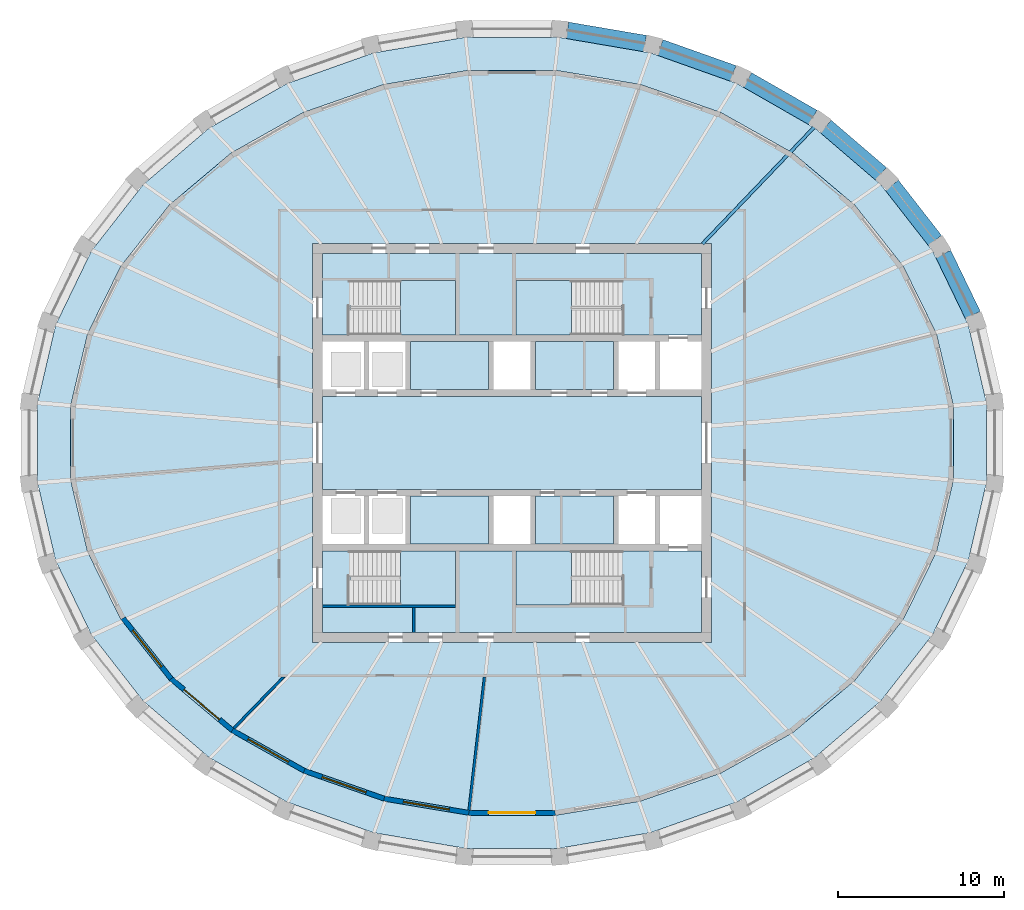
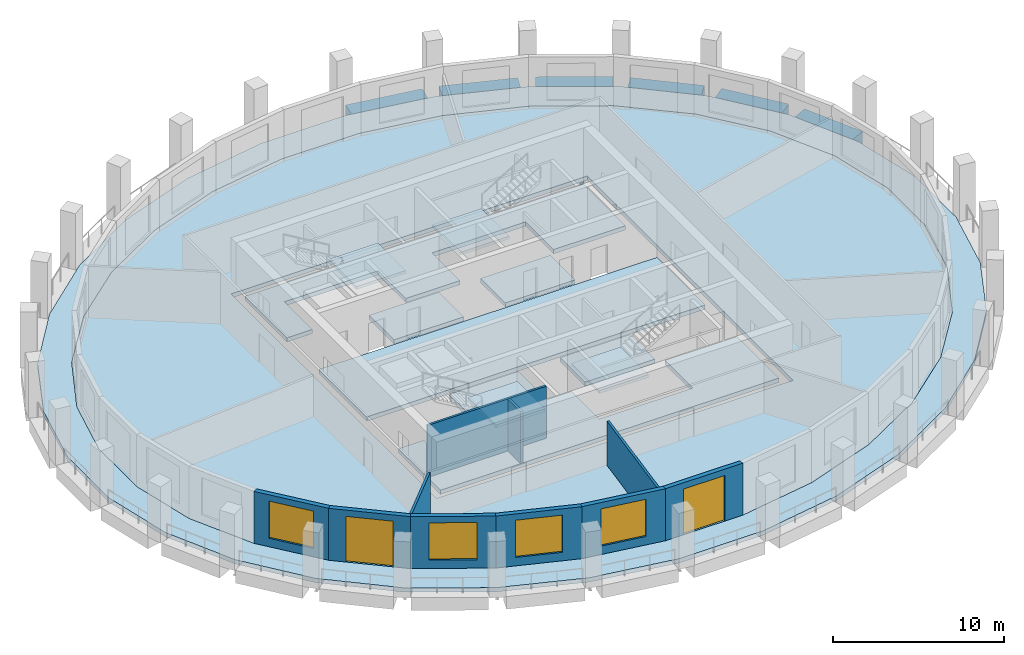
# One storey, part 2 of 10: 13 slabs, 10 walls, 7 beams, 4 windows, 2 doors, 6 openings, 4 elements without a shape of their own.
"""IFC4 building model written with IfcOpenShell, lengths in metres."""

from ifc_helpers import new_model, si_unit, direction, frame, frame_2d, origin, origin_2d, place, context, subcontext, project, spatial, polyline, rectangle, i_section, outline, extrude, material, layer, layer_set, material_profile, profile_set, type_object, element, fill, aggregate, save


model = new_model("IFC4")

# Units and contexts
model_context = context("Model", 3, precision=1e-05, world=origin(), true_north=direction((0.0, 1.0)))
body_context = subcontext(model_context, "Body", "Model", "MODEL_VIEW")
ifc_project = project(units=[si_unit("LENGTHUNIT", "METRE"), si_unit("AREAUNIT", "SQUARE_METRE"), si_unit("VOLUMEUNIT", "CUBIC_METRE"), si_unit("PLANEANGLEUNIT", "RADIAN"), si_unit("MASSUNIT", "GRAM", prefix="KILO")], contexts=[model_context])

# Site, building, storey
site_placement = place(None, origin())
site = spatial("IfcSite", under=ifc_project, at=site_placement, CompositionType="ELEMENT")
building_placement = place(site_placement, origin())
building = spatial("IfcBuilding", under=site, at=building_placement, Name="Halqa Exchange Tower", CompositionType="ELEMENT")
storey_placement = place(building_placement, frame((0.0, 0.0, 292.300048828125)))
storey = spatial("IfcBuildingStorey", under=building, at=storey_placement, Name="L68", CompositionType="ELEMENT", Elevation=292.300048828125)

# Beams
ifc_material_1 = material(Name="Steel S355", Category="steel")
ifc_material_profile_1 = material_profile(ifc_material_1, i_section(OverallWidth=0.18994140625, OverallDepth=0.449951171875, WebThickness=0.009521484375, FlangeThickness=0.0146484375, FilletRadius=0.02099609375, at=origin_2d()), Name="IPE 450")
ifc_profile_set_1 = profile_set([ifc_material_profile_1], Name="Steel S355")
beam_type_1 = type_object("IfcBeamType", Name="Floor beam IPE 450", PredefinedType="BEAM", material=ifc_profile_set_1)
beam_1_placement = place(storey_placement, frame((11.462890625, 11.97216796875, -0.525146484375), z_axis=(0.691588333375, 0.722291891924, 0.0), x_axis=(-0.722291891924, 0.691588333375, 0.0)))
element("IfcBeam", 1, at=beam_1_placement, inside=storey, type_object=beam_type_1, Name="Radial beam 5", PredefinedType="BEAM", context=body_context, shape_type="SweptSolid", body=[
    extrude(i_section(OverallWidth=0.18994140625, OverallDepth=0.449951171875, WebThickness=0.009521484375, FlangeThickness=0.0146484375, FilletRadius=0.02099609375, at=origin_2d()), origin(), (0.0, 0.0, 1.0), 9.820068359375),
])
ifc_material_2 = material(Name="Concrete C60/75", Category="concrete")
ifc_material_profile_2 = material_profile(ifc_material_2, rectangle(XDim=1.0, YDim=0.89990234375, at=origin_2d()), Name="1000 x 900")
ifc_profile_set_2 = profile_set([ifc_material_profile_2], Name="Concrete C60/75")
beam_type_2 = type_object("IfcBeamType", Name="RC spandrel beam 1000 x 900 C60/75", PredefinedType="SPANDREL", material=ifc_profile_set_2)
beam_2_placement = place(storey_placement, frame((27.720703125, 7.689453125, -0.449951171875), z_axis=(-0.435091897701, 0.900386050844, 0.0), x_axis=(-0.900386050844, -0.435091897701, 0.0)))
element("IfcBeam", 2, at=beam_2_placement, inside=storey, type_object=beam_type_2, Name="Spandrel 2", PredefinedType="SPANDREL", context=body_context, shape_type="SweptSolid", body=[
    extrude(rectangle(XDim=1.0, YDim=0.89990234375, at=origin_2d()), origin(), (0.0, 0.0, 1.0), 4.082275390625),
])
beam_3_placement = place(storey_placement, frame((25.4462890625, 12.16650390625, -0.449951171875), z_axis=(-0.614849113514, 0.788644766426, 0.0), x_axis=(-0.788644766426, -0.614849113514, 0.0)))
element("IfcBeam", 3, at=beam_3_placement, inside=storey, type_object=beam_type_2, Name="Spandrel 3", PredefinedType="SPANDREL", context=body_context, shape_type="SweptSolid", body=[
    extrude(rectangle(XDim=1.0, YDim=0.89990234375, at=origin_2d()), origin(), (0.0, 0.0, 1.0), 4.22119140625),
])
beam_4_placement = place(storey_placement, frame((22.19970703125, 16.177978515625, -0.449951171875), z_axis=(-0.759244795716, 0.650805147627, 0.0), x_axis=(-0.650805147627, -0.759244795716, 0.0)))
element("IfcBeam", 4, at=beam_4_placement, inside=storey, type_object=beam_type_2, Name="Spandrel 4", PredefinedType="SPANDREL", context=body_context, shape_type="SweptSolid", body=[
    extrude(rectangle(XDim=1.0, YDim=0.89990234375, at=origin_2d()), origin(), (0.0, 0.0, 1.0), 4.37890625),
])
beam_5_placement = place(storey_placement, frame((18.10302734375, 19.572509765625, -0.449951171875), z_axis=(-0.867765502357, 0.496973875489, 0.0), x_axis=(-0.496973875489, -0.867765502357, 0.0)))
element("IfcBeam", 5, at=beam_5_placement, inside=storey, type_object=beam_type_2, Name="Spandrel 5", PredefinedType="SPANDREL", context=body_context, shape_type="SweptSolid", body=[
    extrude(rectangle(XDim=1.0, YDim=0.89990234375, at=origin_2d()), origin(), (0.0, 0.0, 1.0), 4.533203125),
])
beam_6_placement = place(storey_placement, frame((13.310791015625, 22.2197265625, -0.449951171875), z_axis=(-0.942367036973, 0.334580883535, 0.0), x_axis=(-0.334580883535, -0.942367036973, 0.0)))
element("IfcBeam", 6, at=beam_6_placement, inside=storey, type_object=beam_type_2, Name="Spandrel 6", PredefinedType="SPANDREL", context=body_context, shape_type="SweptSolid", body=[
    extrude(rectangle(XDim=1.0, YDim=0.89990234375, at=origin_2d()), origin(), (0.0, 0.0, 1.0), 4.662109375),
])
beam_7_placement = place(storey_placement, frame((8.00390625, 24.017578125, -0.449951171875), z_axis=(-0.985779293953, 0.168045183248, 0.0), x_axis=(-0.168045183248, -0.985779293953, 0.0)))
element("IfcBeam", 7, at=beam_7_placement, inside=storey, type_object=beam_type_2, Name="Spandrel 7", PredefinedType="SPANDREL", context=body_context, shape_type="SweptSolid", body=[
    extrude(rectangle(XDim=1.0, YDim=0.89990234375, at=origin_2d()), origin(), (0.0, 0.0, 1.0), 4.743408203125),
])

# Slabs
ifc_layer_1 = layer(ifc_material_2, 0.300048828125)
ifc_layer_set_1 = layer_set([ifc_layer_1], Name="Concrete C60/75")
slab_type_1 = type_object("IfcSlabType", Name="Core floor slab 300", PredefinedType="FLOOR", material=ifc_layer_set_1)
slab_1_placement = place(storey_placement, frame((0.0, 0.0, -0.300048828125)))
element("IfcSlab", 8, at=slab_1_placement, inside=storey, type_object=slab_type_1, Name="Core floor slab", PredefinedType="FLOOR", context=body_context, shape_type="SweptSolid", body=[
    extrude(outline(polyline([(-11.39990234375, 2.800048828125), (11.39990234375, 2.800048828125), (11.39990234375, -2.800048828125), (-11.39990234375, -2.800048828125), (-11.39990234375, 2.800048828125)])), origin(), (0.0, 0.0, 1.0), 0.300048828125),
])
slab_2_placement = place(storey_placement, frame((0.0, 0.0, -0.300048828125)))
element("IfcSlab", 9, at=slab_2_placement, inside=storey, type_object=slab_type_1, Name="Core floor slab", PredefinedType="FLOOR", context=body_context, shape_type="SweptSolid", body=[
    extrude(outline(polyline([(-11.39990234375, 11.39990234375), (11.39990234375, 11.39990234375), (11.39990234375, 6.5), (6.550048828125, 6.5), (6.550048828125, 9.75), (0.25, 9.75), (0.25, 6.5), (-3.39990234375, 6.5), (-3.39990234375, 9.75), (-9.699951171875, 9.75), (-9.699951171875, 6.5), (-11.39990234375, 6.5), (-11.39990234375, 11.39990234375)])), origin(), (0.0, 0.0, 1.0), 0.300048828125),
])
slab_3_placement = place(storey_placement, frame((0.0, 0.0, -0.300048828125)))
element("IfcSlab", 10, at=slab_3_placement, inside=storey, type_object=slab_type_1, Name="Core floor slab", PredefinedType="FLOOR", context=body_context, shape_type="SweptSolid", body=[
    extrude(outline(polyline([(-11.39990234375, -6.5), (-9.699951171875, -6.5), (-9.699951171875, -9.75), (-3.39990234375, -9.75), (-3.39990234375, -6.5), (0.25, -6.5), (0.25, -9.75), (6.550048828125, -9.75), (6.550048828125, -6.5), (11.39990234375, -6.5), (11.39990234375, -11.39990234375), (-11.39990234375, -11.39990234375), (-11.39990234375, -6.5)])), origin(), (0.0, 0.0, 1.0), 0.300048828125),
])
slab_4_placement = place(storey_placement, frame((0.0, 0.0, -0.300048828125)))
element("IfcSlab", 11, at=slab_4_placement, inside=storey, type_object=slab_type_1, Name="Core floor slab", PredefinedType="FLOOR", context=body_context, shape_type="SweptSolid", body=[
    extrude(outline(polyline([(-1.39990234375, -3.199951171875), (-1.39990234375, -6.10009765625), (-6.10009765625, -6.10009765625), (-6.10009765625, -3.199951171875), (-1.39990234375, -3.199951171875)])), origin(), (0.0, 0.0, 1.0), 0.300048828125),
])
slab_5_placement = place(storey_placement, frame((0.0, 0.0, -0.300048828125)))
element("IfcSlab", 12, at=slab_5_placement, inside=storey, type_object=slab_type_1, Name="Core floor slab", PredefinedType="FLOOR", context=body_context, shape_type="SweptSolid", body=[
    extrude(outline(polyline([(-1.39990234375, 3.199951171875), (-6.10009765625, 3.199951171875), (-6.10009765625, 6.10009765625), (-1.39990234375, 6.10009765625), (-1.39990234375, 3.199951171875)])), origin(), (0.0, 0.0, 1.0), 0.300048828125),
])
slab_6_placement = place(storey_placement, frame((0.0, 0.0, -0.300048828125)))
element("IfcSlab", 13, at=slab_6_placement, inside=storey, type_object=slab_type_1, Name="Core floor slab", PredefinedType="FLOOR", context=body_context, shape_type="SweptSolid", body=[
    extrude(outline(polyline([(6.10009765625, -3.199951171875), (6.10009765625, -6.10009765625), (1.39990234375, -6.10009765625), (1.39990234375, -3.199951171875), (6.10009765625, -3.199951171875)])), origin(), (0.0, 0.0, 1.0), 0.300048828125),
])
slab_7_placement = place(storey_placement, frame((0.0, 0.0, -0.300048828125)))
element("IfcSlab", 14, at=slab_7_placement, inside=storey, type_object=slab_type_1, Name="Core floor slab", PredefinedType="FLOOR", context=body_context, shape_type="SweptSolid", body=[
    extrude(outline(polyline([(6.10009765625, 6.10009765625), (6.10009765625, 3.199951171875), (1.39990234375, 3.199951171875), (1.39990234375, 6.10009765625), (6.10009765625, 6.10009765625)])), origin(), (0.0, 0.0, 1.0), 0.300048828125),
])
ifc_material_3 = material(Name="Concrete C40/50", Category="concrete")
ifc_layer_2 = layer(ifc_material_3, 0.300048828125)
ifc_layer_set_2 = layer_set([ifc_layer_2], Name="Concrete C40/50")
slab_type_2 = type_object("IfcSlabType", Name="RC floor slab 300", PredefinedType="FLOOR", material=ifc_layer_set_2)
slab_8_placement = place(storey_placement, frame((0.0, 0.0, -0.300048828125)))
element("IfcSlab", 15, at=slab_8_placement, inside=storey, type_object=slab_type_2, Name="Floor slab", PredefinedType="FLOOR", context=body_context, shape_type="SweptSolid", body=[
    extrude(outline(polyline([(26.55712890625, 2.21240234375), (25.5322265625, 6.55078125), (23.523681640625, 10.63330078125), (20.611572265625, 14.302978515625), (16.90966796875, 17.419921875), (12.561279296875, 19.866455078125), (7.733642578125, 21.550048828125), (2.611083984375, 22.407958984375), (-2.611083984375, 22.407958984375), (-7.733642578125, 21.550048828125), (-12.561279296875, 19.866455078125), (-16.90966796875, 17.419921875), (-20.611572265625, 14.302978515625), (-23.523681640625, 10.63330078125), (-25.5322265625, 6.55078125), (-26.55712890625, 2.21240234375), (-26.55712890625, -2.21240234375), (-25.5322265625, -6.55078125), (-23.523681640625, -10.63330078125), (-20.611572265625, -14.302978515625), (-16.90966796875, -17.419921875), (-12.561279296875, -19.866455078125), (-7.733642578125, -21.550048828125), (-2.611083984375, -22.407958984375), (2.611083984375, -22.407958984375), (7.733642578125, -21.550048828125), (12.561279296875, -19.866455078125), (16.90966796875, -17.419921875), (20.611572265625, -14.302978515625), (23.523681640625, -10.63330078125), (25.5322265625, -6.55078125), (26.55712890625, -2.21240234375), (26.55712890625, 2.21240234375)]), holes=[polyline([(-12.0, -12.0), (12.0, -12.0), (12.0, 12.0), (-12.0, 12.0), (-12.0, -12.0)])]), origin(), (0.0, 0.0, 1.0), 0.300048828125),
])
ifc_layer_3 = layer(ifc_material_3, 0.300048828125)
ifc_layer_set_3 = layer_set([ifc_layer_3], Name="Concrete C40/50")
slab_type_3 = type_object("IfcSlabType", Name="RC loggia slab 300", PredefinedType="FLOOR", material=ifc_layer_set_3)
slab_9_placement = place(storey_placement, frame((0.0, 0.0, -0.300048828125)))
element("IfcSlab", 16, at=slab_9_placement, inside=storey, type_object=slab_type_3, Name="Loggia slab", PredefinedType="FLOOR", context=body_context, shape_type="SweptSolid", body=[
    extrude(outline(polyline([(28.543701171875, 2.39453125), (28.543701171875, -2.39453125), (27.452880859375, -7.09423828125), (25.311279296875, -11.526611328125), (22.1962890625, -15.522216796875), (18.224853515625, -18.926513671875), (13.547607421875, -21.60498046875), (8.34521484375, -23.452392578125), (2.818359375, -24.39453125), (-2.818359375, -24.39453125), (-8.34521484375, -23.452392578125), (-13.547607421875, -21.60498046875), (-18.224853515625, -18.926513671875), (-22.1962890625, -15.522216796875), (-25.311279296875, -11.526611328125), (-27.452880859375, -7.09423828125), (-28.543701171875, -2.39453125), (-28.543701171875, 2.39453125), (-27.452880859375, 7.09423828125), (-25.311279296875, 11.526611328125), (-22.1962890625, 15.522216796875), (-18.224853515625, 18.926513671875), (-13.547607421875, 21.60498046875), (-8.34521484375, 23.452392578125), (-2.818359375, 24.39453125), (2.818359375, 24.39453125), (8.34521484375, 23.452392578125), (13.547607421875, 21.60498046875), (18.224853515625, 18.926513671875), (22.1962890625, 15.522216796875), (25.311279296875, 11.526611328125), (27.452880859375, 7.09423828125), (28.543701171875, 2.39453125)]), holes=[polyline([(26.55712890625, 2.21240234375), (25.5322265625, 6.55078125), (23.523681640625, 10.63330078125), (20.611572265625, 14.302978515625), (16.90966796875, 17.419921875), (12.561279296875, 19.866455078125), (7.733642578125, 21.550048828125), (2.611083984375, 22.407958984375), (-2.611083984375, 22.407958984375), (-7.733642578125, 21.550048828125), (-12.561279296875, 19.866455078125), (-16.90966796875, 17.419921875), (-20.611572265625, 14.302978515625), (-23.523681640625, 10.63330078125), (-25.5322265625, 6.55078125), (-26.55712890625, 2.21240234375), (-26.55712890625, -2.21240234375), (-25.5322265625, -6.55078125), (-23.523681640625, -10.63330078125), (-20.611572265625, -14.302978515625), (-16.90966796875, -17.419921875), (-12.561279296875, -19.866455078125), (-7.733642578125, -21.550048828125), (-2.611083984375, -22.407958984375), (2.611083984375, -22.407958984375), (7.733642578125, -21.550048828125), (12.561279296875, -19.866455078125), (16.90966796875, -17.419921875), (20.611572265625, -14.302978515625), (23.523681640625, -10.63330078125), (25.5322265625, -6.55078125), (26.55712890625, -2.21240234375), (26.55712890625, 2.21240234375)])]), origin(), (0.0, 0.0, 1.0), 0.300048828125),
])

# Stair, slab
ifc_material_4 = material(Name="Concrete C30/37", Category="concrete")
stair_type = type_object("IfcStairType", Name="Exit stair 1500 wide", PredefinedType="HALF_TURN_STAIR", material=ifc_material_4)
stair_1_placement = place(storey_placement, origin())
stair_1 = element("IfcStair", 17, at=stair_1_placement, inside=storey, type_object=stair_type, Name="Exit stair ST1", PredefinedType="HALF_TURN_STAIR")
ifc_layer_4 = layer(ifc_material_4, 0.199951171875)
ifc_layer_set_4 = layer_set([ifc_layer_4], Name="Concrete C30/37")
slab_type_4 = type_object("IfcSlabType", Name="Stair landing 200 slab", PredefinedType="LANDING", material=ifc_layer_set_4)
slab_10_placement = place(storey_placement, frame((0.0, 0.0, 1.800048828125)))
slab_10 = element("IfcSlab", 18, at=slab_10_placement, type_object=slab_type_4, Name="ST1 landing 1", PredefinedType="LANDING", context=body_context, shape_type="SweptSolid", body=[
    extrude(outline(polyline([(-6.719970703125, 6.5), (-3.39990234375, 6.5), (-3.39990234375, 9.75), (-6.719970703125, 9.75), (-6.719970703125, 6.5)])), origin(), (0.0, 0.0, 1.0), 0.199951171875),
])
aggregate(stair_1, [slab_10])

stair_2_placement = place(storey_placement, origin())
stair_2 = element("IfcStair", 19, at=stair_2_placement, inside=storey, type_object=stair_type, Name="Exit stair ST2", PredefinedType="HALF_TURN_STAIR")
slab_11_placement = place(storey_placement, frame((0.0, 0.0, 1.800048828125)))
slab_11 = element("IfcSlab", 20, at=slab_11_placement, type_object=slab_type_4, Name="ST2 landing 1", PredefinedType="LANDING", context=body_context, shape_type="SweptSolid", body=[
    extrude(outline(polyline([(0.25, 6.5), (3.570068359375, 6.5), (3.570068359375, 9.75), (0.25, 9.75), (0.25, 6.5)])), origin(), (0.0, 0.0, 1.0), 0.199951171875),
])
aggregate(stair_2, [slab_11])

stair_3_placement = place(storey_placement, origin())
stair_3 = element("IfcStair", 21, at=stair_3_placement, inside=storey, type_object=stair_type, Name="Exit stair ST3", PredefinedType="HALF_TURN_STAIR")
slab_12_placement = place(storey_placement, frame((0.0, 0.0, 1.800048828125)))
slab_12 = element("IfcSlab", 22, at=slab_12_placement, type_object=slab_type_4, Name="ST3 landing 1", PredefinedType="LANDING", context=body_context, shape_type="SweptSolid", body=[
    extrude(outline(polyline([(-6.719970703125, -9.75), (-3.39990234375, -9.75), (-3.39990234375, -6.5), (-6.719970703125, -6.5), (-6.719970703125, -9.75)])), origin(), (0.0, 0.0, 1.0), 0.199951171875),
])
aggregate(stair_3, [slab_12])

stair_4_placement = place(storey_placement, origin())
stair_4 = element("IfcStair", 23, at=stair_4_placement, inside=storey, type_object=stair_type, Name="Exit stair ST4", PredefinedType="HALF_TURN_STAIR")
slab_13_placement = place(storey_placement, frame((0.0, 0.0, 1.800048828125)))
slab_13 = element("IfcSlab", 24, at=slab_13_placement, type_object=slab_type_4, Name="ST4 landing 1", PredefinedType="LANDING", context=body_context, shape_type="SweptSolid", body=[
    extrude(outline(polyline([(0.25, -9.75), (3.570068359375, -9.75), (3.570068359375, -6.5), (0.25, -6.5), (0.25, -9.75)])), origin(), (0.0, 0.0, 1.0), 0.199951171875),
])
aggregate(stair_4, [slab_13])

# Walls
ifc_material_5 = material(Name="Fire-rated gypsum board")
ifc_layer_5 = layer(ifc_material_5, 0.14990234375)
ifc_layer_set_5 = layer_set([ifc_layer_5], Name="Fire-rated gypsum board")
wall_type_1 = type_object("IfcWallType", Name="Fire partition EI 60 150", PredefinedType="PARTITIONING", material=ifc_layer_set_5)
wall_1_placement = place(storey_placement, frame((-13.67236328125, -14.02294921875, 0.0), z_axis=(0.0, 0.0, 1.0), x_axis=(-0.697528481307, -0.716557058277, 0.0)))
element("IfcWall", 25, at=wall_1_placement, inside=storey, type_object=wall_type_1, Name="L68-PWL-006", PredefinedType="PARTITIONING", context=body_context, shape_type="SweptSolid", body=[
    extrude(outline(polyline([(0.0, 0.074951171875), (0.0, 0.07470703125), (0.1455078125, -0.074951171875), (1.555419921875, -0.074951171875), (2.965087890625, -0.074951171875), (4.375, -0.074951171875), (4.375, 0.074951171875), (2.916748046875, 0.074951171875), (1.458251953125, 0.074951171875), (0.0, 0.074951171875)])), origin(), (0.0, 0.0, 1.0), 3.699951171875),
])
wall_2_placement = place(storey_placement, frame((-1.647705078125, -14.06640625, 0.0), z_axis=(0.0, 0.0, 1.0), x_axis=(-0.115734847025, -0.993280144362, 0.0)))
element("IfcWall", 26, at=wall_2_placement, inside=storey, type_object=wall_type_1, Name="L68-PWL-007", PredefinedType="PARTITIONING", context=body_context, shape_type="SweptSolid", body=[
    extrude(outline(polyline([(8.092041015625, -0.074951171875), (8.092041015625, 0.033935546875), (8.087158203125, 0.074951171875), (6.4697265625, 0.074951171875), (4.852294921875, 0.074951171875), (3.23486328125, 0.074951171875), (1.617431640625, 0.074951171875), (0.0, 0.074951171875), (0.0, 0.07421875), (0.017333984375, -0.074951171875), (1.63232421875, -0.074951171875), (3.247314453125, -0.074951171875), (4.862060546875, -0.074951171875), (6.47705078125, -0.074951171875), (8.092041015625, -0.074951171875)])), origin(), (0.0, 0.0, 1.0), 3.14990234375),
])
ifc_material_6 = material(Name="Gypsum board")
ifc_layer_6 = layer(ifc_material_6, 0.14990234375)
ifc_layer_set_6 = layer_set([ifc_layer_6], Name="Gypsum board")
wall_type_2 = type_object("IfcWallType", Name="Penthouse riser wall 150 gypsum", PredefinedType="PARTITIONING", material=ifc_layer_set_6)
wall_3_placement = place(storey_placement, frame((-5.925048828125, -11.39990234375, 0.0), z_axis=(0.0, 0.0, 1.0), x_axis=(0.0, 1.0, 0.0)))
element("IfcWall", 27, at=wall_3_placement, inside=storey, type_object=wall_type_2, Name="Partition W5.925 S", PredefinedType="PARTITIONING", context=body_context, shape_type="SweptSolid", body=[
    extrude(rectangle(XDim=1.5, YDim=0.14990234375, at=frame_2d((0.75, 0.0))), origin(), (0.0, 0.0, 1.0), 3.699951171875),
])
ifc_layer_7 = layer(ifc_material_4, 0.14990234375)
ifc_layer_set_7 = layer_set([ifc_layer_7], Name="Concrete C30/37")
wall_type_3 = type_object("IfcWallType", Name="RC stair wall 150 C30/37", PredefinedType="SHEAR", material=ifc_layer_set_7)
wall_4_placement = place(storey_placement, frame((-11.39990234375, -9.824951171875, 0.0), z_axis=(0.0, 0.0, 1.0), x_axis=(1.0, 0.0, 0.0)))
element("IfcWall", 28, at=wall_4_placement, inside=storey, type_object=wall_type_3, Name="Stair ST1 north wall S", PredefinedType="SHEAR", context=body_context, shape_type="SweptSolid", body=[
    extrude(rectangle(XDim=8.0, YDim=0.14990234375, at=frame_2d((4.0, 0.0))), origin(), (0.0, 0.0, 1.0), 3.699951171875),
])

# Wall, opening, window
ifc_material_7 = material(Name="Limestone cladding", Category="masonry")
ifc_layer_8 = layer(ifc_material_7, 0.0400390625)
ifc_material_8 = material(Name="Ventilated cavity")
ifc_layer_9 = layer(ifc_material_8, 0.030029296875, ventilated=True)
ifc_material_9 = material(Name="Mineral wool insulation")
ifc_layer_10 = layer(ifc_material_9, 0.10009765625)
ifc_layer_11 = layer(ifc_material_4, 0.10009765625)
ifc_material_10 = material(Name="Internal plaster")
ifc_layer_12 = layer(ifc_material_10, 0.030029296875)
ifc_layer_set_8 = layer_set([ifc_layer_8, ifc_layer_9, ifc_layer_10, ifc_layer_11, ifc_layer_12], Name="Stone-faced insulated wall 300")
wall_type_4 = type_object("IfcWallType", Name="Stone-faced insulated wall 300", PredefinedType="STANDARD", material=ifc_layer_set_8)
wall_5_placement = place(storey_placement, frame((-23.396240234375, -10.552734375, 0.0), z_axis=(0.0, 0.0, 1.0), x_axis=(0.621625671247, -0.783314448256, 0.0)))
wall_5 = element("IfcWall", 29, at=wall_5_placement, inside=storey, type_object=wall_type_4, Name="Glass-line wall 19", PredefinedType="STANDARD", context=body_context, shape_type="SweptSolid", body=[
    extrude(outline(polyline([(-0.01611328125, -0.14990234375), (4.668701171875, -0.14990234375), (4.638427734375, 0.14990234375), (0.01611328125, 0.14990234375), (-0.01611328125, -0.14990234375)])), origin(), (0.0, 0.0, 1.0), 3.699951171875),
])
opening_1_placement = place(wall_5_placement, frame((0.927001953125, 0.0, 0.60009765625)))
opening_1 = element("IfcOpeningElement", 30, at=opening_1_placement, cuts=wall_5, Name="Opening W-F4-19", PredefinedType="OPENING", context=body_context, shape_type="SweptSolid", body=[
    extrude(rectangle(XDim=2.800048828125, YDim=2.64990234375, at=frame_2d((1.39990234375, 1.324951171875))), frame((0.0, 0.162109375, 0.0), z_axis=(0.0, -1.0, 0.0), x_axis=(1.0, 0.0, 0.0)), (0.0, 0.0, 1.0), 0.323974609375),
])
ifc_material_11 = material(Name="Clear low-emissivity glass in aluminium frame", Category="aluminium")
window_type = type_object("IfcWindowType", Name="Fixed clear glazed window 2800 x 2650", PartitioningType="DOUBLE_PANEL_VERTICAL", PredefinedType="WINDOW", material=ifc_material_11)
window_1_placement = place(opening_1_placement, origin())
window_1 = element("IfcWindow", 31, at=window_1_placement, inside=storey, type_object=window_type, Name="Window 4", OverallHeight=2.64990234375, OverallWidth=2.800048828125, PartitioningType="DOUBLE_PANEL_VERTICAL", PredefinedType="WINDOW", context=body_context, shape_type="SweptSolid", body=[
    extrude(rectangle(XDim=2.800048828125, YDim=2.64990234375, at=frame_2d((1.39990234375, 1.324951171875))), frame((0.0, 0.030029296875, 0.0), z_axis=(0.0, -1.0, 0.0), x_axis=(1.0, 0.0, 0.0)), (0.0, 0.0, 1.0), 0.06005859375),
])
fill(opening_1, window_1)

# Wall, opening, door
wall_6_placement = place(storey_placement, frame((-20.50341796875, -14.197998046875, 0.0), z_axis=(0.0, 0.0, 1.0), x_axis=(0.764966473721, -0.644070100286, 0.0)))
wall_6 = element("IfcWall", 32, at=wall_6_placement, inside=storey, type_object=wall_type_4, Name="Glass-line wall 20", PredefinedType="STANDARD", context=body_context, shape_type="SweptSolid", body=[
    extrude(outline(polyline([(-0.01513671875, -0.14990234375), (4.824462890625, -0.14990234375), (4.796142578125, 0.14990234375), (0.01513671875, 0.14990234375), (-0.01513671875, -0.14990234375)])), origin(), (0.0, 0.0, 1.0), 3.699951171875),
])
opening_2_placement = place(wall_6_placement, frame((1.005126953125, 0.0, 0.0)))
opening_2 = element("IfcOpeningElement", 33, at=opening_2_placement, cuts=wall_6, Name="Opening LG-F4-05", PredefinedType="OPENING", context=body_context, shape_type="SweptSolid", body=[
    extrude(rectangle(XDim=2.800048828125, YDim=3.25, at=frame_2d((1.39990234375, 1.625))), frame((0.0, 0.162109375, 0.0), z_axis=(0.0, -1.0, 0.0), x_axis=(1.0, 0.0, 0.0)), (0.0, 0.0, 1.0), 0.323974609375),
])
door_type = type_object("IfcDoorType", Name="Glazed sliding loggia door 2800 x 3250", OperationType="DOUBLE_DOOR_SLIDING", PredefinedType="DOOR", material=ifc_material_11)
door_1_placement = place(opening_2_placement, origin())
door_1 = element("IfcDoor", 34, at=door_1_placement, inside=storey, type_object=door_type, Name="Loggia door 5", OperationType="DOUBLE_DOOR_SLIDING", OverallHeight=3.25, OverallWidth=2.800048828125, PredefinedType="DOOR", context=body_context, shape_type="SweptSolid", body=[
    extrude(rectangle(XDim=2.800048828125, YDim=3.25, at=frame_2d((1.39990234375, 1.625))), frame((0.0, 0.02490234375, 0.0), z_axis=(0.0, -1.0, 0.0), x_axis=(1.0, 0.0, 0.0)), (0.0, 0.0, 1.0), 0.050048828125),
])
fill(opening_2, door_1)

# Wall, opening, window
wall_7_placement = place(storey_placement, frame((-16.82373046875, -17.296142578125, 0.0), z_axis=(0.0, 0.0, 1.0), x_axis=(0.871512454536, -0.490373369575, 0.0)))
wall_7 = element("IfcWall", 35, at=wall_7_placement, inside=storey, type_object=wall_type_4, Name="Glass-line wall 21", PredefinedType="STANDARD", context=body_context, shape_type="SweptSolid", body=[
    extrude(outline(polyline([(-0.01416015625, -0.14990234375), (4.97509765625, -0.14990234375), (4.9482421875, 0.14990234375), (0.01416015625, 0.14990234375), (-0.01416015625, -0.14990234375)])), origin(), (0.0, 0.0, 1.0), 3.699951171875),
])
opening_3_placement = place(wall_7_placement, frame((1.080810546875, 0.0, 0.60009765625)))
opening_3 = element("IfcOpeningElement", 36, at=opening_3_placement, cuts=wall_7, Name="Opening W-F4-21", PredefinedType="OPENING", context=body_context, shape_type="SweptSolid", body=[
    extrude(rectangle(XDim=2.800048828125, YDim=2.64990234375, at=frame_2d((1.39990234375, 1.324951171875))), frame((0.0, 0.162109375, 0.0), z_axis=(0.0, -1.0, 0.0), x_axis=(1.0, 0.0, 0.0)), (0.0, 0.0, 1.0), 0.323974609375),
])
window_2_placement = place(opening_3_placement, origin())
window_2 = element("IfcWindow", 37, at=window_2_placement, inside=storey, type_object=window_type, Name="Window 4", OverallHeight=2.64990234375, OverallWidth=2.800048828125, PartitioningType="DOUBLE_PANEL_VERTICAL", PredefinedType="WINDOW", context=body_context, shape_type="SweptSolid", body=[
    extrude(rectangle(XDim=2.800048828125, YDim=2.64990234375, at=frame_2d((1.39990234375, 1.324951171875))), frame((0.0, 0.030029296875, 0.0), z_axis=(0.0, -1.0, 0.0), x_axis=(1.0, 0.0, 0.0)), (0.0, 0.0, 1.0), 0.06005859375),
])
fill(opening_3, window_2)

wall_8_placement = place(storey_placement, frame((-12.49951171875, -19.729248046875, 0.0), z_axis=(0.0, 0.0, 1.0), x_axis=(0.944230376095, -0.329285585564, 0.0)))
wall_8 = element("IfcWall", 38, at=wall_8_placement, inside=storey, type_object=wall_type_4, Name="Glass-line wall 22", PredefinedType="STANDARD", context=body_context, shape_type="SweptSolid", body=[
    extrude(outline(polyline([(-0.013427734375, -0.14990234375), (5.099609375, -0.14990234375), (5.07421875, 0.14990234375), (0.013427734375, 0.14990234375), (-0.013427734375, -0.14990234375)])), origin(), (0.0, 0.0, 1.0), 3.699951171875),
])
opening_4_placement = place(wall_8_placement, frame((1.143310546875, 0.0, 0.60009765625)))
opening_4 = element("IfcOpeningElement", 39, at=opening_4_placement, cuts=wall_8, Name="Opening W-F4-22", PredefinedType="OPENING", context=body_context, shape_type="SweptSolid", body=[
    extrude(rectangle(XDim=2.800048828125, YDim=2.64990234375, at=frame_2d((1.39990234375, 1.324951171875))), frame((0.0, 0.162109375, 0.0), z_axis=(0.0, -1.0, 0.0), x_axis=(1.0, 0.0, 0.0)), (0.0, 0.0, 1.0), 0.323974609375),
])
window_3_placement = place(opening_4_placement, origin())
window_3 = element("IfcWindow", 40, at=window_3_placement, inside=storey, type_object=window_type, Name="Window 4", OverallHeight=2.64990234375, OverallWidth=2.800048828125, PartitioningType="DOUBLE_PANEL_VERTICAL", PredefinedType="WINDOW", context=body_context, shape_type="SweptSolid", body=[
    extrude(rectangle(XDim=2.800048828125, YDim=2.64990234375, at=frame_2d((1.39990234375, 1.324951171875))), frame((0.0, 0.030029296875, 0.0), z_axis=(0.0, -1.0, 0.0), x_axis=(1.0, 0.0, 0.0)), (0.0, 0.0, 1.0), 0.06005859375),
])
fill(opening_4, window_3)

wall_9_placement = place(storey_placement, frame((-7.6962890625, -21.404296875, 0.0), z_axis=(0.0, 0.0, 1.0), x_axis=(0.986263399459, -0.165180225475, 0.0)))
wall_9 = element("IfcWall", 41, at=wall_9_placement, inside=storey, type_object=wall_type_4, Name="Glass-line wall 23", PredefinedType="STANDARD", context=body_context, shape_type="SweptSolid", body=[
    extrude(outline(polyline([(-0.0126953125, -0.14990234375), (5.18115234375, -0.14990234375), (5.15625, 0.14990234375), (0.0126953125, 0.14990234375), (-0.0126953125, -0.14990234375)])), origin(), (0.0, 0.0, 1.0), 3.699951171875),
])
opening_5_placement = place(wall_9_placement, frame((1.184326171875, 0.0, 0.60009765625)))
opening_5 = element("IfcOpeningElement", 42, at=opening_5_placement, cuts=wall_9, Name="Opening W-F4-23", PredefinedType="OPENING", context=body_context, shape_type="SweptSolid", body=[
    extrude(rectangle(XDim=2.800048828125, YDim=2.64990234375, at=frame_2d((1.39990234375, 1.324951171875))), frame((0.0, 0.162109375, 0.0), z_axis=(0.0, -1.0, 0.0), x_axis=(1.0, 0.0, 0.0)), (0.0, 0.0, 1.0), 0.323974609375),
])
window_4_placement = place(opening_5_placement, origin())
window_4 = element("IfcWindow", 43, at=window_4_placement, inside=storey, type_object=window_type, Name="Window 4", OverallHeight=2.64990234375, OverallWidth=2.800048828125, PartitioningType="DOUBLE_PANEL_VERTICAL", PredefinedType="WINDOW", context=body_context, shape_type="SweptSolid", body=[
    extrude(rectangle(XDim=2.800048828125, YDim=2.64990234375, at=frame_2d((1.39990234375, 1.324951171875))), frame((0.0, 0.030029296875, 0.0), z_axis=(0.0, -1.0, 0.0), x_axis=(1.0, 0.0, 0.0)), (0.0, 0.0, 1.0), 0.06005859375),
])
fill(opening_5, window_4)

# Wall, opening, door
wall_10_placement = place(storey_placement, frame((-2.5986328125, -22.258056640625, 0.0), z_axis=(0.0, 0.0, 1.0), x_axis=(1.0, 0.0, 0.0)))
wall_10 = element("IfcWall", 44, at=wall_10_placement, inside=storey, type_object=wall_type_4, Name="Glass-line wall 24", PredefinedType="STANDARD", context=body_context, shape_type="SweptSolid", body=[
    extrude(outline(polyline([(-0.012451171875, -0.14990234375), (5.209716796875, -0.14990234375), (5.184814453125, 0.14990234375), (0.012451171875, 0.14990234375), (-0.012451171875, -0.14990234375)])), origin(), (0.0, 0.0, 1.0), 3.699951171875),
])
opening_6_placement = place(wall_10_placement, frame((1.198486328125, 0.0, 0.0)))
opening_6 = element("IfcOpeningElement", 45, at=opening_6_placement, cuts=wall_10, Name="Opening LG-F4-06", PredefinedType="OPENING", context=body_context, shape_type="SweptSolid", body=[
    extrude(rectangle(XDim=2.800048828125, YDim=3.25, at=frame_2d((1.39990234375, 1.625))), frame((0.0, 0.162109375, 0.0), z_axis=(0.0, -1.0, 0.0), x_axis=(1.0, 0.0, 0.0)), (0.0, 0.0, 1.0), 0.323974609375),
])
door_2_placement = place(opening_6_placement, origin())
door_2 = element("IfcDoor", 46, at=door_2_placement, inside=storey, type_object=door_type, Name="Loggia door 6", OperationType="DOUBLE_DOOR_SLIDING", OverallHeight=3.25, OverallWidth=2.800048828125, PredefinedType="DOOR", context=body_context, shape_type="SweptSolid", body=[
    extrude(rectangle(XDim=2.800048828125, YDim=3.25, at=frame_2d((1.39990234375, 1.625))), frame((0.0, 0.02490234375, 0.0), z_axis=(0.0, -1.0, 0.0), x_axis=(1.0, 0.0, 0.0)), (0.0, 0.0, 1.0), 0.050048828125),
])
fill(opening_6, door_2)

save(model, "model.ifc")
